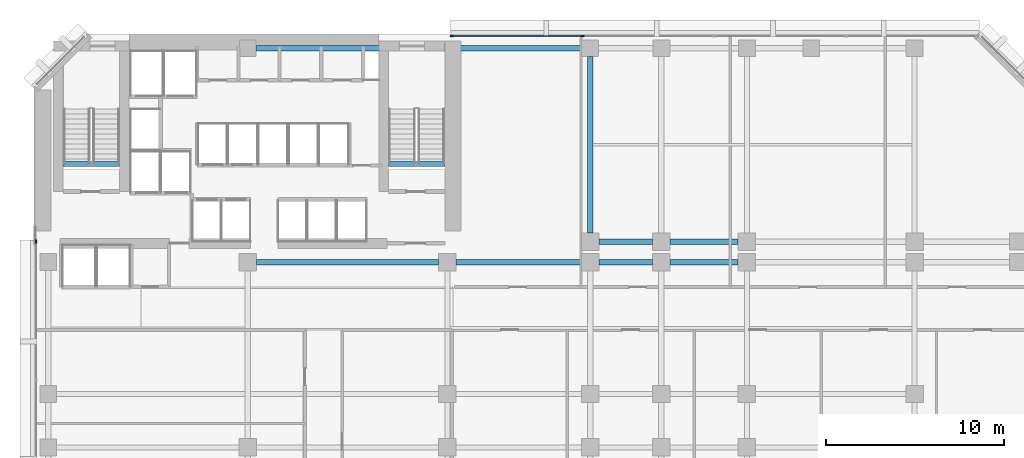
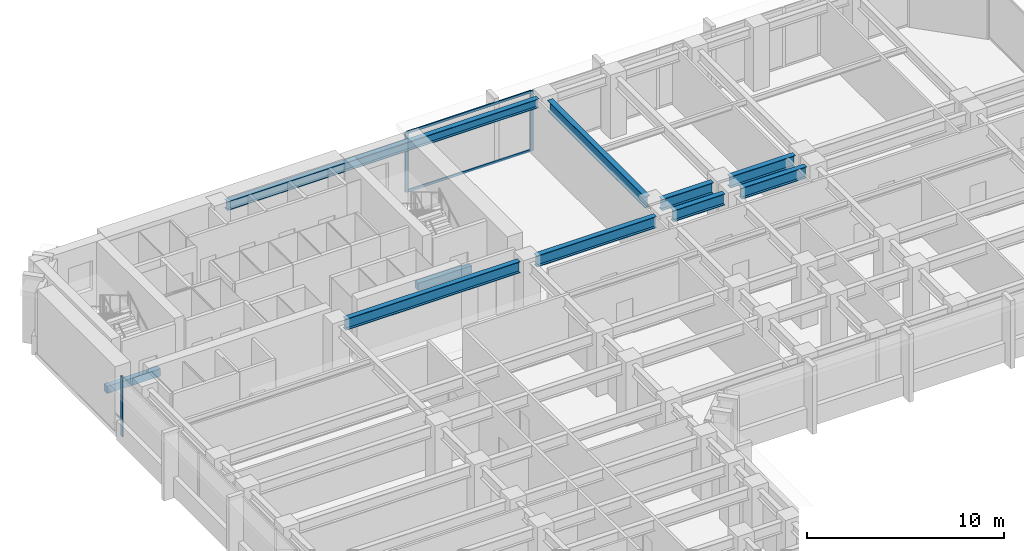
# One storey, part 4 of 13: 10 beams, 5 members, 2 elements without a shape of their own.
"""IFC4 building model written with IfcOpenShell, lengths in metres."""

from ifc_helpers import new_model, si_unit, direction, frame, origin, origin_2d, place, context, subcontext, project, spatial, rectangle, i_section, extrude, material, layer, layer_set, material_profile, profile_set, type_object, element, aggregate, save


model = new_model("IFC4")

# Units and contexts
model_context = context("Model", 3, precision=1e-05, world=origin(), true_north=direction((0.0, 1.0)))
body_context = subcontext(model_context, "Body", "Model", "MODEL_VIEW")
ifc_project = project(units=[si_unit("LENGTHUNIT", "METRE"), si_unit("AREAUNIT", "SQUARE_METRE"), si_unit("VOLUMEUNIT", "CUBIC_METRE"), si_unit("PLANEANGLEUNIT", "RADIAN"), si_unit("MASSUNIT", "GRAM", prefix="KILO")], contexts=[model_context])

# Site, building, storey
site_placement = place(None, origin())
site = spatial("IfcSite", under=ifc_project, at=site_placement, CompositionType="ELEMENT")
building_placement = place(site_placement, origin())
building = spatial("IfcBuilding", under=site, at=building_placement, Name="Kefirva Bronze Tower", CompositionType="ELEMENT")
storey_placement = place(building_placement, frame((0.0, 0.0, 58.080078125)))
storey = spatial("IfcBuildingStorey", under=building, at=storey_placement, Name="L13", CompositionType="ELEMENT", Elevation=58.080078125)

# Curtain wall, members
ifc_material_1 = material(Name="Bronze anodised aluminium", Category="aluminium")
ifc_layer = layer(ifc_material_1, 0.199951171875, Name="Bronze anodised aluminium")
ifc_layer_set = layer_set([ifc_layer], Name="Bronze anodised aluminium")
curtain_wall_type = type_object("IfcCurtainWallType", Name="Unitised Bronze Ribbon Curtain Wall Zone 1", PredefinedType="USERDEFINED", material=ifc_layer_set)
curtain_wall_1_placement = place(storey_placement, origin())
curtain_wall_1 = element("IfcCurtainWall", 1, at=curtain_wall_1_placement, inside=storey, type_object=curtain_wall_type, Name="L13 Curtain Wall 4", ObjectType="UNITISED CURTAIN WALL", PredefinedType="USERDEFINED")
ifc_material_profile_1 = material_profile(ifc_material_1, rectangle(XDim=0.074951171875, YDim=0.179931640625, at=origin_2d()), Name="ALU 75x180")
ifc_profile_set_1 = profile_set([ifc_material_profile_1], Name="Bronze anodised aluminium")
member_type_1 = type_object("IfcMemberType", Name="Bronze Mullion 75x180", PredefinedType="MULLION", material=ifc_profile_set_1)
member_1_placement = place(storey_placement, frame((30.7900390625, 45.8798828125, 0.0), z_axis=(0.0, 0.0, 1.0), x_axis=(0.0, -1.0, 0.0)))
member_1 = element("IfcMember", 2, at=member_1_placement, type_object=member_type_1, Name="CW-01 mullion 4", PredefinedType="MULLION", context=body_context, shape_type="SweptSolid", body=[
    extrude(rectangle(XDim=0.074951171875, YDim=0.179931640625, at=origin_2d()), origin(), (0.0, 0.0, 1.0), 3.7099609375),
])
member_2_placement = place(storey_placement, frame((23.4423828125, 45.8798828125, 0.0), z_axis=(0.0, 0.0, 1.0), x_axis=(0.0, -1.0, 0.0)))
member_2 = element("IfcMember", 3, at=member_2_placement, type_object=member_type_1, Name="CW-01 mullion 5", PredefinedType="MULLION", context=body_context, shape_type="SweptSolid", body=[
    extrude(rectangle(XDim=0.074951171875, YDim=0.179931640625, at=origin_2d()), origin(), (0.0, 0.0, 1.0), 3.7099609375),
])

# Curtain wall, member
curtain_wall_2_placement = place(storey_placement, origin())
curtain_wall_2 = element("IfcCurtainWall", 4, at=curtain_wall_2_placement, inside=storey, type_object=curtain_wall_type, Name="L13 Curtain Wall 5", ObjectType="UNITISED CURTAIN WALL", PredefinedType="USERDEFINED")
member_3_placement = place(storey_placement, frame((0.1201171875, 34.357421875, 0.0), z_axis=(0.0, 0.0, 1.0), x_axis=(1.0, 0.0, 0.0)))
member_3 = element("IfcMember", 5, at=member_3_placement, type_object=member_type_1, Name="CW-01 mullion 1", PredefinedType="MULLION", context=body_context, shape_type="SweptSolid", body=[
    extrude(rectangle(XDim=0.074951171875, YDim=0.179931640625, at=origin_2d()), origin(), (0.0, 0.0, 1.0), 3.7099609375),
])
aggregate(curtain_wall_2, [member_3])

# Member
ifc_material_profile_2 = material_profile(ifc_material_1, rectangle(XDim=0.074951171875, YDim=0.14990234375, at=origin_2d()), Name="ALU 75x150")
ifc_profile_set_2 = profile_set([ifc_material_profile_2], Name="Bronze anodised aluminium")
member_type_2 = type_object("IfcMemberType", Name="Bronze Transom 75x150", PredefinedType="USERDEFINED", material=ifc_profile_set_2)
member_4_placement = place(storey_placement, frame((30.75244140625, 45.8798828125, 0.037353515625), z_axis=(-1.0, 0.0, 0.0), x_axis=(0.0, -1.0, 0.0)))
member_4 = element("IfcMember", 6, at=member_4_placement, type_object=member_type_2, Name="CW-01 transom 4.1", ObjectType="TRANSOM", PredefinedType="USERDEFINED", context=body_context, shape_type="SweptSolid", body=[
    extrude(rectangle(XDim=0.074951171875, YDim=0.14990234375, at=origin_2d()), origin(), (0.0, 0.0, 1.0), 7.2724609375),
])

member_5_placement = place(storey_placement, frame((30.75244140625, 45.8798828125, 3.67236328125), z_axis=(-1.0, 0.0, 0.0), x_axis=(0.0, -1.0, 0.0)))
member_5 = element("IfcMember", 7, at=member_5_placement, type_object=member_type_2, Name="CW-01 transom 4.2", ObjectType="TRANSOM", PredefinedType="USERDEFINED", context=body_context, shape_type="SweptSolid", body=[
    extrude(rectangle(XDim=0.074951171875, YDim=0.14990234375, at=origin_2d()), origin(), (0.0, 0.0, 1.0), 7.2724609375),
])

aggregate(curtain_wall_1, [member_1, member_2, member_4, member_5])

# Beams
ifc_material_2 = material(Name="Concrete C50/60", Category="concrete")
ifc_material_profile_3 = material_profile(ifc_material_2, rectangle(XDim=0.300048828125, YDim=0.449951171875, at=origin_2d()), Name="RC 300x450")
ifc_profile_set_3 = profile_set([ifc_material_profile_3], Name="Concrete C50/60")
beam_type_1 = type_object("IfcBeamType", Name="RC Stair Trimmer Beam 300x450", PredefinedType="BEAM", material=ifc_profile_set_3)
beam_1_placement = place(storey_placement, frame((1.64501953125, 38.699951171875, -0.22509765625), z_axis=(1.0, 0.0, 0.0), x_axis=(0.0, 1.0, 0.0)))
element("IfcBeam", 8, at=beam_1_placement, inside=storey, type_object=beam_type_1, Name="L13 Stair 1 Landing Trimmer Beam", PredefinedType="BEAM", context=body_context, shape_type="SweptSolid", body=[
    extrude(rectangle(XDim=0.300048828125, YDim=0.449951171875, at=origin_2d()), origin(), (0.0, 0.0, 1.0), 3.14990234375),
])
beam_2_placement = place(storey_placement, frame((19.89501953125, 38.699951171875, -0.22509765625), z_axis=(1.0, 0.0, 0.0), x_axis=(0.0, 1.0, 0.0)))
element("IfcBeam", 9, at=beam_2_placement, inside=storey, type_object=beam_type_1, Name="L13 Stair 2 Landing Trimmer Beam", PredefinedType="BEAM", context=body_context, shape_type="SweptSolid", body=[
    extrude(rectangle(XDim=0.300048828125, YDim=0.449951171875, at=origin_2d()), origin(), (0.0, 0.0, 1.0), 3.159912109375),
])
ifc_material_3 = material(Name="Steel S355", Category="steel")
ifc_material_profile_4 = material_profile(ifc_material_3, i_section(OverallWidth=0.300048828125, OverallDepth=0.699951171875, WebThickness=0.01708984375, FlangeThickness=0.031982421875, at=origin_2d()), Name="HEB 700")
ifc_profile_set_4 = profile_set([ifc_material_profile_4], Name="Steel S355")
beam_type_2 = type_object("IfcBeamType", Name="Steel Girder HEB 700", PredefinedType="USERDEFINED", material=ifc_profile_set_4)
beam_3_placement = place(storey_placement, frame((12.489990234375, 33.199951171875, 3.35986328125), z_axis=(1.0, 0.0, 0.0), x_axis=(0.0, 1.0, 0.0)))
element("IfcBeam", 10, at=beam_3_placement, inside=storey, type_object=beam_type_2, Name="L13 BM-L13-EW-12-332", ObjectType="GIRDER", PredefinedType="USERDEFINED", context=body_context, shape_type="SweptSolid", body=[
    extrude(i_section(OverallWidth=0.300048828125, OverallDepth=0.699951171875, WebThickness=0.01708984375, FlangeThickness=0.031982421875, at=origin_2d()), origin(), (0.0, 0.0, 1.0), 10.219970703125),
])
beam_4_placement = place(storey_placement, frame((23.68994140625, 33.199951171875, 3.35986328125), z_axis=(1.0, 0.0, 0.0), x_axis=(0.0, 1.0, 0.0)))
element("IfcBeam", 11, at=beam_4_placement, inside=storey, type_object=beam_type_2, Name="L13 BM-L13-EW-23-332", ObjectType="GIRDER", PredefinedType="USERDEFINED", context=body_context, shape_type="SweptSolid", body=[
    extrude(i_section(OverallWidth=0.300048828125, OverallDepth=0.699951171875, WebThickness=0.01708984375, FlangeThickness=0.031982421875, at=origin_2d()), origin(), (0.0, 0.0, 1.0), 7.02001953125),
])
beam_5_placement = place(storey_placement, frame((31.68994140625, 33.199951171875, 3.35986328125), z_axis=(1.0, 0.0, 0.0), x_axis=(0.0, 1.0, 0.0)))
element("IfcBeam", 12, at=beam_5_placement, inside=storey, type_object=beam_type_2, Name="L13 BM-L13-EW-31-332", ObjectType="GIRDER", PredefinedType="USERDEFINED", context=body_context, shape_type="SweptSolid", body=[
    extrude(i_section(OverallWidth=0.300048828125, OverallDepth=0.699951171875, WebThickness=0.01708984375, FlangeThickness=0.031982421875, at=origin_2d()), origin(), (0.0, 0.0, 1.0), 3.02001953125),
])
beam_6_placement = place(storey_placement, frame((35.68994140625, 33.199951171875, 3.35986328125), z_axis=(1.0, 0.0, 0.0), x_axis=(0.0, 1.0, 0.0)))
element("IfcBeam", 13, at=beam_6_placement, inside=storey, type_object=beam_type_2, Name="L13 BM-L13-EW-35-332", ObjectType="GIRDER", PredefinedType="USERDEFINED", context=body_context, shape_type="SweptSolid", body=[
    extrude(i_section(OverallWidth=0.300048828125, OverallDepth=0.699951171875, WebThickness=0.01708984375, FlangeThickness=0.031982421875, at=origin_2d()), origin(), (0.0, 0.0, 1.0), 3.820068359375),
])
beam_7_placement = place(storey_placement, frame((31.68994140625, 34.35009765625, 3.35986328125), z_axis=(1.0, 0.0, 0.0), x_axis=(0.0, 1.0, 0.0)))
element("IfcBeam", 14, at=beam_7_placement, inside=storey, type_object=beam_type_2, Name="L13 BM-L13-EW-31-344", ObjectType="GIRDER", PredefinedType="USERDEFINED", context=body_context, shape_type="SweptSolid", body=[
    extrude(i_section(OverallWidth=0.300048828125, OverallDepth=0.699951171875, WebThickness=0.01708984375, FlangeThickness=0.031982421875, at=origin_2d()), origin(), (0.0, 0.0, 1.0), 3.02001953125),
])
beam_8_placement = place(storey_placement, frame((35.68994140625, 34.35009765625, 3.35986328125), z_axis=(1.0, 0.0, 0.0), x_axis=(0.0, 1.0, 0.0)))
element("IfcBeam", 15, at=beam_8_placement, inside=storey, type_object=beam_type_2, Name="L13 BM-L13-EW-35-344", ObjectType="GIRDER", PredefinedType="USERDEFINED", context=body_context, shape_type="SweptSolid", body=[
    extrude(i_section(OverallWidth=0.300048828125, OverallDepth=0.699951171875, WebThickness=0.01708984375, FlangeThickness=0.031982421875, at=origin_2d()), origin(), (0.0, 0.0, 1.0), 3.820068359375),
])
beam_9_placement = place(storey_placement, frame((31.199951171875, 34.840087890625, 3.35986328125), z_axis=(0.0, 1.0, 0.0), x_axis=(-1.0, 0.0, 0.0)))
element("IfcBeam", 16, at=beam_9_placement, inside=storey, type_object=beam_type_2, Name="L13 BM-L13-NS-312-34", ObjectType="GIRDER", PredefinedType="USERDEFINED", context=body_context, shape_type="SweptSolid", body=[
    extrude(i_section(OverallWidth=0.300048828125, OverallDepth=0.699951171875, WebThickness=0.01708984375, FlangeThickness=0.031982421875, at=origin_2d()), origin(), (0.0, 0.0, 1.0), 9.889892578125),
])
ifc_material_profile_5 = material_profile(ifc_material_3, i_section(OverallWidth=0.300048828125, OverallDepth=0.550048828125, WebThickness=0.014892578125, FlangeThickness=0.029052734375, at=origin_2d()), Name="HEB 550")
ifc_profile_set_5 = profile_set([ifc_material_profile_5], Name="Steel S355")
beam_type_3 = type_object("IfcBeamType", Name="Steel Spandrel HEB 550 Ext", PredefinedType="SPANDREL", material=ifc_profile_set_5)
beam_10_placement = place(storey_placement, frame((12.469970703125, 45.199951171875, 3.434814453125), z_axis=(1.0, 0.0, 0.0), x_axis=(0.0, 1.0, 0.0)))
element("IfcBeam", 17, at=beam_10_placement, inside=storey, type_object=beam_type_3, Name="L13 BM-L13-EW-12-452", PredefinedType="SPANDREL", context=body_context, shape_type="SweptSolid", body=[
    extrude(i_section(OverallWidth=0.300048828125, OverallDepth=0.550048828125, WebThickness=0.014892578125, FlangeThickness=0.029052734375, at=origin_2d()), origin(), (0.0, 0.0, 1.0), 18.260009765625),
])

save(model, "model.ifc")
